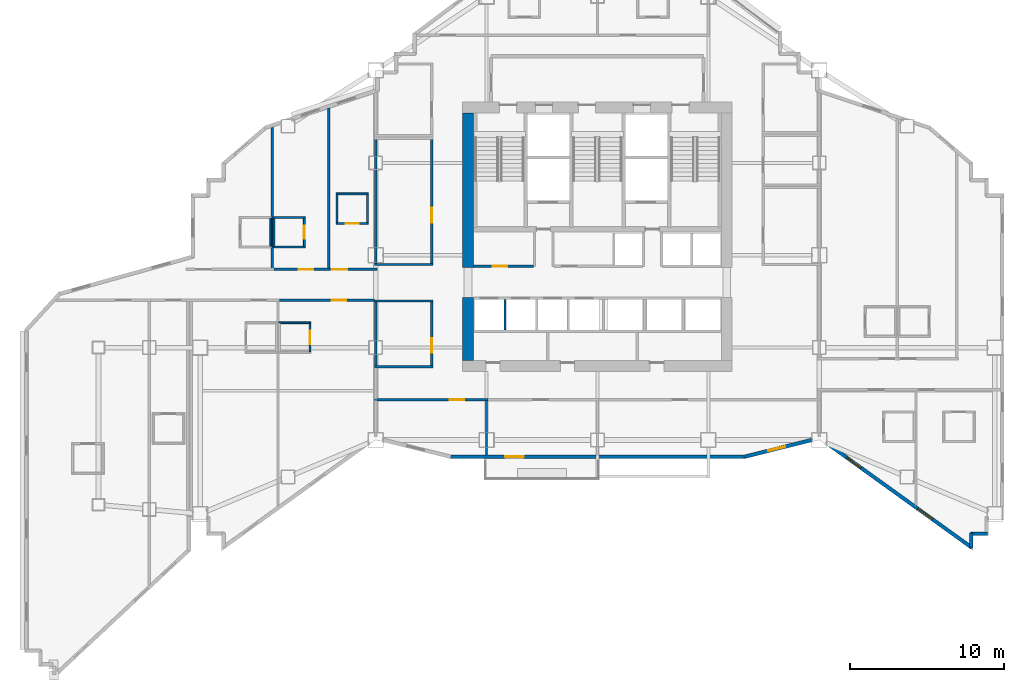
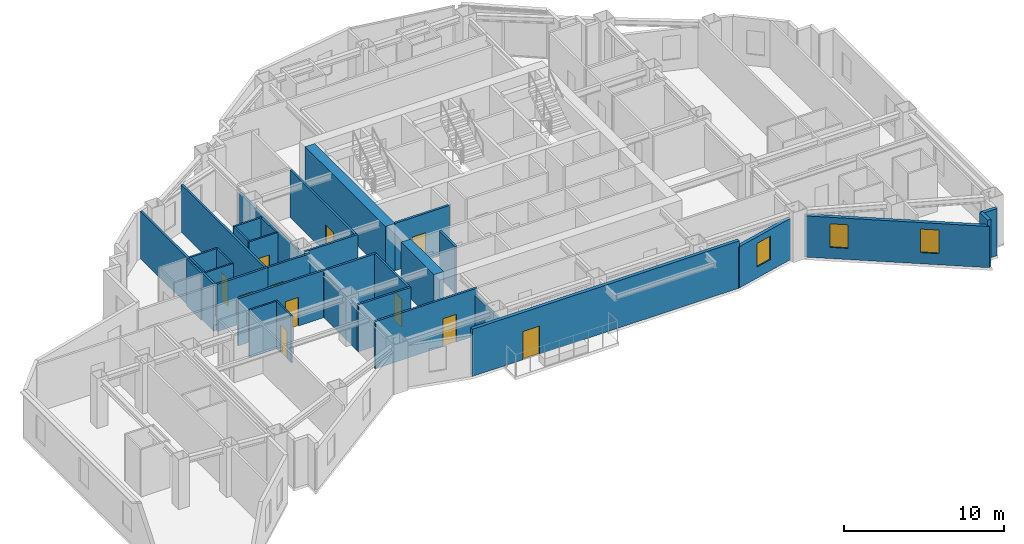
# One storey, part 8 of 14: 34 walls, 11 doors, 3 windows, 14 openings.
"""IFC4 building model written with IfcOpenShell, lengths in metres."""

from ifc_helpers import new_model, si_unit, direction, frame, frame_2d, origin, place, context, subcontext, project, spatial, rectangle, extrude, material, layer, layer_set, type_object, element, fill, save


model = new_model("IFC4")

# Units and contexts
model_context = context("Model", 3, precision=1e-05, world=origin(), true_north=direction((0.0, 1.0)))
body_context = subcontext(model_context, "Body", "Model", "MODEL_VIEW")
ifc_project = project(units=[si_unit("LENGTHUNIT", "METRE"), si_unit("AREAUNIT", "SQUARE_METRE"), si_unit("VOLUMEUNIT", "CUBIC_METRE"), si_unit("PLANEANGLEUNIT", "RADIAN"), si_unit("MASSUNIT", "GRAM", prefix="KILO")], contexts=[model_context])

# Site, building, storey
site_placement = place(None, origin())
site = spatial("IfcSite", under=ifc_project, at=site_placement, CompositionType="ELEMENT")
building_placement = place(site_placement, origin())
building = spatial("IfcBuilding", under=site, at=building_placement, Name="Haolan Belvedere Tower", CompositionType="ELEMENT")
storey_placement = place(building_placement, frame((0.0, 0.0, 148.60009765625)))
storey = spatial("IfcBuildingStorey", under=building, at=storey_placement, Name="L37", CompositionType="ELEMENT", Elevation=148.60009765625)

# Walls
ifc_material_1 = material(Name="Concrete C60/75", Category="concrete")
ifc_layer_1 = layer(ifc_material_1, 0.699951171875, Name="Concrete C60/75")
ifc_layer_set_1 = layer_set([ifc_layer_1], Name="Concrete C60/75")
wall_type_1 = type_object("IfcWallType", Name="WL-CORE-700", PredefinedType="SHEAR", material=ifc_layer_set_1)
wall_1_placement = place(storey_placement, frame((30.0, 26.75, 0.0), z_axis=(0.0, 0.0, 1.0), x_axis=(0.0, 1.0, 0.0)))
element("IfcWall", 1, at=wall_1_placement, inside=storey, type_object=wall_type_1, Name="L37 central core shear wall WS", PredefinedType="SHEAR", context=body_context, shape_type="SweptSolid", body=[
    extrude(rectangle(XDim=4.10009765625, YDim=0.699951171875, at=frame_2d((2.050048828125, 0.0))), origin(), (0.0, 0.0, 1.0), 3.599853515625),
])
wall_2_placement = place(storey_placement, frame((30.0, 32.800048828125, 0.0), z_axis=(0.0, 0.0, 1.0), x_axis=(0.0, 1.0, 0.0)))
element("IfcWall", 2, at=wall_2_placement, inside=storey, type_object=wall_type_1, Name="L37 central core shear wall WN", PredefinedType="SHEAR", context=body_context, shape_type="SweptSolid", body=[
    extrude(rectangle(XDim=10.050048828125, YDim=0.699951171875, at=frame_2d((5.02490234375, 0.0))), origin(), (0.0, 0.0, 1.0), 3.599853515625),
])

# Wall, opening, door
ifc_material_2 = material(Name="Precast concrete C40/50", Category="concrete")
ifc_layer_2 = layer(ifc_material_2, 0.239990234375, Name="Precast concrete C40/50")
ifc_layer_set_2 = layer_set([ifc_layer_2], Name="Precast concrete C40/50")
wall_type_2 = type_object("IfcWallType", Name="WL-EXT-240", PredefinedType="SOLIDWALL", material=ifc_layer_set_2)
wall_3_placement = place(storey_placement, frame((28.759765625, 20.52001953125, 0.0), z_axis=(0.0, 0.0, 1.0), x_axis=(1.0, 0.0, 0.0)))
wall_3 = element("IfcWall", 3, at=wall_3_placement, inside=storey, type_object=wall_type_2, Name="L37 pale-metal exterior spandrel wall 7.1", PredefinedType="SOLIDWALL", context=body_context, shape_type="SweptSolid", body=[
    extrude(rectangle(XDim=19.280517578125, YDim=0.239990234375, at=frame_2d((9.64013671875, 0.0))), origin(), (0.0, 0.0, 1.0), 3.599853515625),
])
opening_1_placement = place(wall_3_placement, frame((4.840087890625, 0.0, 0.0), z_axis=(0.0, 0.0, 1.0), x_axis=(-1.0, 0.0, 0.0)))
opening_1 = element("IfcOpeningElement", 4, at=opening_1_placement, cuts=wall_3, Name="Opening BD-01", PredefinedType="OPENING", context=body_context, shape_type="SweptSolid", body=[
    extrude(rectangle(XDim=1.199951171875, YDim=2.14990234375, at=frame_2d((0.60009765625, 1.074951171875))), frame((0.0, 0.1298828125, 0.0), z_axis=(0.0, -1.0, 0.0), x_axis=(1.0, 0.0, 0.0)), (0.0, 0.0, 1.0), 0.260009765625),
])
ifc_material_3 = material(Name="Thermally broken pale-metal aluminium and Low-E glass", Category="aluminium")
door_type_1 = type_object("IfcDoorType", Name="DR-BAL-1200", OperationType="NOTDEFINED", PredefinedType="DOOR", material=ifc_material_3)
door_1_placement = place(opening_1_placement, origin())
door_1 = element("IfcDoor", 5, at=door_1_placement, inside=storey, type_object=door_type_1, Name="L37 tree-balcony access door 1", OperationType="SINGLE_SWING_LEFT", OverallHeight=2.14990234375, OverallWidth=1.199951171875, PredefinedType="DOOR", context=body_context, shape_type="SweptSolid", body=[
    extrude(rectangle(XDim=1.199951171875, YDim=2.14990234375, at=frame_2d((0.60009765625, 1.074951171875))), frame((0.0, 0.02490234375, 0.0), z_axis=(0.0, -1.0, 0.0), x_axis=(1.0, 0.0, 0.0)), (0.0, 0.0, 1.0), 0.050048828125),
])
fill(opening_1, door_1)

# Wall, opening, window
wall_4_placement = place(storey_placement, frame((47.931884765625, 20.506591796875, 0.0), z_axis=(0.0, 0.0, 1.0), x_axis=(0.970145683738, 0.242522890311, 0.0)))
wall_4 = element("IfcWall", 6, at=wall_4_placement, inside=storey, type_object=wall_type_2, Name="L37 pale-metal exterior spandrel wall 8.1", PredefinedType="SOLIDWALL", context=body_context, shape_type="SweptSolid", body=[
    extrude(rectangle(XDim=4.510986328125, YDim=0.239990234375, at=frame_2d((2.25537109375, 0.0))), origin(), (0.0, 0.0, 1.0), 3.14501953125),
])
opening_2_placement = place(wall_4_placement, frame((1.60009765625, 0.0, 0.85009765625)))
opening_2 = element("IfcOpeningElement", 7, at=opening_2_placement, cuts=wall_4, Name="Opening W-02", PredefinedType="OPENING", context=body_context, shape_type="SweptSolid", body=[
    extrude(rectangle(XDim=1.14990234375, YDim=1.800048828125, at=frame_2d((0.574951171875, 0.89990234375))), frame((0.0, 0.1298828125, 0.0), z_axis=(0.0, -1.0, 0.0), x_axis=(1.0, 0.0, 0.0)), (0.0, 0.0, 1.0), 0.260009765625),
])
ifc_material_4 = material(Name="Anodised aluminium 6063-T6 and Low-E glass", Category="aluminium")
window_type = type_object("IfcWindowType", Name="WN-DECO-Z2", PartitioningType="SINGLE_PANEL", PredefinedType="WINDOW", material=ifc_material_4)
window_1_placement = place(opening_2_placement, origin())
window_1 = element("IfcWindow", 8, at=window_1_placement, inside=storey, type_object=window_type, Name="L37 Art Deco chevron window 1", OverallHeight=1.800048828125, OverallWidth=1.14990234375, PartitioningType="SINGLE_PANEL", PredefinedType="WINDOW", context=body_context, shape_type="SweptSolid", body=[
    extrude(rectangle(XDim=1.14990234375, YDim=1.800048828125, at=frame_2d((0.574951171875, 0.89990234375))), frame((0.0, 0.030029296875, 0.0), z_axis=(0.0, -1.0, 0.0), x_axis=(1.0, 0.0, 0.0)), (0.0, 0.0, 1.0), 0.06005859375),
])
fill(opening_2, window_1)

# Wall, openings, windows
wall_5_placement = place(storey_placement, frame((53.2919921875, 21.3935546875, 0.0), z_axis=(0.0, 0.0, 1.0), x_axis=(0.811543504691, -0.584291998913, 0.0)))
wall_5 = element("IfcWall", 9, at=wall_5_placement, inside=storey, type_object=wall_type_2, Name="L37 pale-metal exterior spandrel wall 9.1", PredefinedType="SOLIDWALL", context=body_context, shape_type="SweptSolid", body=[
    extrude(rectangle(XDim=11.623046875, YDim=0.239990234375, at=frame_2d((5.8115234375, 0.0))), origin(), (0.0, 0.0, 1.0), 3.14501953125),
])
opening_3_placement = place(wall_5_placement, frame((1.60009765625, 0.0, 0.85009765625)))
opening_3 = element("IfcOpeningElement", 10, at=opening_3_placement, cuts=wall_5, Name="Opening W-02", PredefinedType="OPENING", context=body_context, shape_type="SweptSolid", body=[
    extrude(rectangle(XDim=1.14990234375, YDim=1.800048828125, at=frame_2d((0.574951171875, 0.89990234375))), frame((0.0, 0.1298828125, 0.0), z_axis=(0.0, -1.0, 0.0), x_axis=(1.0, 0.0, 0.0)), (0.0, 0.0, 1.0), 0.260009765625),
])
opening_4_placement = place(wall_5_placement, frame((7.29150390625, 0.0, 0.85009765625)))
opening_4 = element("IfcOpeningElement", 11, at=opening_4_placement, cuts=wall_5, Name="Opening W-02", PredefinedType="OPENING", context=body_context, shape_type="SweptSolid", body=[
    extrude(rectangle(XDim=1.14990234375, YDim=1.800048828125, at=frame_2d((0.574951171875, 0.89990234375))), frame((0.0, 0.1298828125, 0.0), z_axis=(0.0, -1.0, 0.0), x_axis=(1.0, 0.0, 0.0)), (0.0, 0.0, 1.0), 0.260009765625),
])
window_2_placement = place(opening_3_placement, origin())
window_2 = element("IfcWindow", 12, at=window_2_placement, inside=storey, type_object=window_type, Name="L37 Art Deco chevron window 1", OverallHeight=1.800048828125, OverallWidth=1.14990234375, PartitioningType="SINGLE_PANEL", PredefinedType="WINDOW", context=body_context, shape_type="SweptSolid", body=[
    extrude(rectangle(XDim=1.14990234375, YDim=1.800048828125, at=frame_2d((0.574951171875, 0.89990234375))), frame((0.0, 0.030029296875, 0.0), z_axis=(0.0, -1.0, 0.0), x_axis=(1.0, 0.0, 0.0)), (0.0, 0.0, 1.0), 0.06005859375),
])
fill(opening_3, window_2)
window_3_placement = place(opening_4_placement, origin())
window_3 = element("IfcWindow", 13, at=window_3_placement, inside=storey, type_object=window_type, Name="L37 Art Deco chevron window 2", OverallHeight=1.800048828125, OverallWidth=1.14990234375, PartitioningType="SINGLE_PANEL", PredefinedType="WINDOW", context=body_context, shape_type="SweptSolid", body=[
    extrude(rectangle(XDim=1.14990234375, YDim=1.800048828125, at=frame_2d((0.574951171875, 0.89990234375))), frame((0.0, 0.030029296875, 0.0), z_axis=(0.0, -1.0, 0.0), x_axis=(1.0, 0.0, 0.0)), (0.0, 0.0, 1.0), 0.06005859375),
])
fill(opening_4, window_3)

# Walls
wall_6_placement = place(storey_placement, frame((62.679931640625, 14.579345703125, 0.0), z_axis=(0.0, 0.0, 1.0), x_axis=(0.0, 1.0, 0.0)))
element("IfcWall", 14, at=wall_6_placement, inside=storey, type_object=wall_type_2, Name="L37 pale-metal exterior spandrel wall 10.1", PredefinedType="SOLIDWALL", context=body_context, shape_type="SweptSolid", body=[
    extrude(rectangle(XDim=0.99560546875, YDim=0.239990234375, at=frame_2d((0.497802734375, 0.0))), origin(), (0.0, 0.0, 1.0), 3.599853515625),
])
wall_7_placement = place(storey_placement, frame((62.625, 15.52001953125, 0.0), z_axis=(0.0, 0.0, 1.0), x_axis=(1.0, 0.0, 0.0)))
element("IfcWall", 15, at=wall_7_placement, inside=storey, type_object=wall_type_2, Name="L37 pale-metal exterior spandrel wall 11.1", PredefinedType="SOLIDWALL", context=body_context, shape_type="SweptSolid", body=[
    extrude(rectangle(XDim=1.110107421875, YDim=0.239990234375, at=frame_2d((0.55517578125, 0.0))), origin(), (0.0, 0.0, 1.0), 3.599853515625),
])
ifc_material_5 = material(Name="Double gypsum acoustic stud partition", Category="masonry")
ifc_layer_3 = layer(ifc_material_5, 0.14990234375, Name="Double gypsum acoustic stud partition")
ifc_layer_set_3 = layer_set([ifc_layer_3], Name="Double gypsum acoustic stud partition")
wall_type_3 = type_object("IfcWallType", Name="WL-PART-150", PredefinedType="PARTITIONING", material=ifc_layer_set_3)
wall_8_placement = place(storey_placement, frame((23.919921875, 33.0, 0.0), z_axis=(0.0, 0.0, 1.0), x_axis=(1.0, 0.0, 0.0)))
element("IfcWall", 16, at=wall_8_placement, inside=storey, type_object=wall_type_3, Name="L37 interior partition IW-L37-SAL-S", PredefinedType="PARTITIONING", context=body_context, shape_type="SweptSolid", body=[
    extrude(rectangle(XDim=3.800048828125, YDim=0.14990234375, at=frame_2d((1.89990234375, 0.0))), origin(), (0.0, 0.0, 1.0), 3.599853515625),
])
wall_9_placement = place(storey_placement, frame((24.0, 33.06005859375, 0.0), z_axis=(0.0, 0.0, 1.0), x_axis=(0.0, 1.0, 0.0)))
element("IfcWall", 17, at=wall_9_placement, inside=storey, type_object=wall_type_3, Name="L37 interior partition IW-L37-SAL-W", PredefinedType="PARTITIONING", context=body_context, shape_type="SweptSolid", body=[
    extrude(rectangle(XDim=8.079833984375, YDim=0.14990234375, at=frame_2d((4.0400390625, 0.0))), origin(), (0.0, 0.0, 1.0), 3.14501953125),
])

# Wall, opening, door
wall_10_placement = place(storey_placement, frame((27.639892578125, 33.06005859375, 0.0), z_axis=(0.0, 0.0, 1.0), x_axis=(0.0, 1.0, 0.0)))
wall_10 = element("IfcWall", 18, at=wall_10_placement, inside=storey, type_object=wall_type_3, Name="L37 interior partition IW-L37-SAL-E", PredefinedType="PARTITIONING", context=body_context, shape_type="SweptSolid", body=[
    extrude(rectangle(XDim=8.079833984375, YDim=0.14990234375, at=frame_2d((4.0400390625, 0.0))), origin(), (0.0, 0.0, 1.0), 3.599853515625),
])
opening_5_placement = place(wall_10_placement, frame((3.60986328125, 0.0, 0.0), z_axis=(0.0, 0.0, 1.0), x_axis=(-1.0, 0.0, 0.0)))
opening_5 = element("IfcOpeningElement", 19, at=opening_5_placement, cuts=wall_10, Name="Opening ID-03", PredefinedType="OPENING", context=body_context, shape_type="SweptSolid", body=[
    extrude(rectangle(XDim=0.949951171875, YDim=2.1201171875, at=frame_2d((0.47509765625, 1.06005859375))), frame((0.0, 0.0849609375, 0.0), z_axis=(0.0, -1.0, 0.0), x_axis=(1.0, 0.0, 0.0)), (0.0, 0.0, 1.0), 0.169921875),
])
ifc_material_6 = material(Name="Painted solid-core timber", Category="wood")
door_type_2 = type_object("IfcDoorType", Name="DR-INT-950", OperationType="NOTDEFINED", PredefinedType="DOOR", material=ifc_material_6)
door_2_placement = place(opening_5_placement, origin())
door_2 = element("IfcDoor", 20, at=door_2_placement, inside=storey, type_object=door_type_2, Name="L37 door ID-L37-SAL", OperationType="SINGLE_SWING_LEFT", OverallHeight=2.1201171875, OverallWidth=0.949951171875, PredefinedType="DOOR", context=body_context, shape_type="SweptSolid", body=[
    extrude(rectangle(XDim=0.949951171875, YDim=2.1201171875, at=frame_2d((0.47509765625, 1.06005859375))), frame((0.0, 0.02490234375, 0.0), z_axis=(0.0, -1.0, 0.0), x_axis=(1.0, 0.0, 0.0)), (0.0, 0.0, 1.0), 0.050048828125),
])
fill(opening_5, door_2)

# Walls
for number, where, z_axis, x_axis, name in (
    (21, (23.919921875, 30.6298828125, 0.0), (0.0, 0.0, 1.0), (1.0, 0.0, 0.0), "L37 interior partition IW-L37-PKTW-N"),
    (22, (23.919921875, 26.35009765625, 0.0), (0.0, 0.0, 1.0), (1.0, 0.0, 0.0), "L37 interior partition IW-L37-PKTW-S"),
):
    element("IfcWall", number, at=place(storey_placement, frame(where, z_axis=z_axis, x_axis=x_axis)), inside=storey, type_object=wall_type_3, Name=name, PredefinedType="PARTITIONING", context=body_context, shape_type="SweptSolid", body=[
        extrude(rectangle(XDim=3.800048828125, YDim=0.14990234375, at=frame_2d((1.89990234375, 0.0))), origin(), (0.0, 0.0, 1.0), 3.599853515625),
    ])
wall_11_placement = place(storey_placement, frame((24.0, 26.409912109375, 0.0), z_axis=(0.0, 0.0, 1.0), x_axis=(0.0, 1.0, 0.0)))
element("IfcWall", 23, at=wall_11_placement, inside=storey, type_object=wall_type_3, Name="L37 interior partition IW-L37-PKTW-W", PredefinedType="PARTITIONING", context=body_context, shape_type="SweptSolid", body=[
    extrude(rectangle(XDim=4.16015625, YDim=0.14990234375, at=frame_2d((2.080078125, 0.0))), origin(), (0.0, 0.0, 1.0), 3.14501953125),
])

# Wall, opening, door
wall_12_placement = place(storey_placement, frame((27.639892578125, 26.409912109375, 0.0), z_axis=(0.0, 0.0, 1.0), x_axis=(0.0, 1.0, 0.0)))
wall_12 = element("IfcWall", 24, at=wall_12_placement, inside=storey, type_object=wall_type_3, Name="L37 interior partition IW-L37-PKTW-E", PredefinedType="PARTITIONING", context=body_context, shape_type="SweptSolid", body=[
    extrude(rectangle(XDim=4.16015625, YDim=0.14990234375, at=frame_2d((2.080078125, 0.0))), origin(), (0.0, 0.0, 1.0), 3.599853515625),
])
opening_6_placement = place(wall_12_placement, frame((1.81005859375, 0.0, 0.0), z_axis=(0.0, 0.0, 1.0), x_axis=(-1.0, 0.0, 0.0)))
opening_6 = element("IfcOpeningElement", 25, at=opening_6_placement, cuts=wall_12, Name="Opening ID-03", PredefinedType="OPENING", context=body_context, shape_type="SweptSolid", body=[
    extrude(rectangle(XDim=0.949951171875, YDim=2.1201171875, at=frame_2d((0.47509765625, 1.06005859375))), frame((0.0, 0.0849609375, 0.0), z_axis=(0.0, -1.0, 0.0), x_axis=(1.0, 0.0, 0.0)), (0.0, 0.0, 1.0), 0.169921875),
])
door_3_placement = place(opening_6_placement, origin())
door_3 = element("IfcDoor", 26, at=door_3_placement, inside=storey, type_object=door_type_2, Name="L37 door ID-L37-PKTW", OperationType="SINGLE_SWING_LEFT", OverallHeight=2.1201171875, OverallWidth=0.949951171875, PredefinedType="DOOR", context=body_context, shape_type="SweptSolid", body=[
    extrude(rectangle(XDim=0.949951171875, YDim=2.1201171875, at=frame_2d((0.47509765625, 1.06005859375))), frame((0.0, 0.02490234375, 0.0), z_axis=(0.0, -1.0, 0.0), x_axis=(1.0, 0.0, 0.0)), (0.0, 0.0, 1.0), 0.050048828125),
])
fill(opening_6, door_3)

wall_13_placement = place(storey_placement, frame((23.919921875, 24.219970703125, 0.0), z_axis=(0.0, 0.0, 1.0), x_axis=(1.0, 0.0, 0.0)))
wall_13 = element("IfcWall", 27, at=wall_13_placement, inside=storey, type_object=wall_type_3, Name="L37 interior partition IW-L37-KS1-N", PredefinedType="PARTITIONING", context=body_context, shape_type="SweptSolid", body=[
    extrude(rectangle(XDim=7.360107421875, YDim=0.14990234375, at=frame_2d((3.68017578125, 0.0))), origin(), (0.0, 0.0, 1.0), 3.599853515625),
])
opening_7_placement = place(wall_13_placement, frame((5.844970703125, 0.0, 0.0), z_axis=(0.0, 0.0, 1.0), x_axis=(-1.0, 0.0, 0.0)))
opening_7 = element("IfcOpeningElement", 28, at=opening_7_placement, cuts=wall_13, Name="Opening ID-03", PredefinedType="OPENING", context=body_context, shape_type="SweptSolid", body=[
    extrude(rectangle(XDim=0.949951171875, YDim=2.1201171875, at=frame_2d((0.47509765625, 1.06005859375))), frame((0.0, 0.0849609375, 0.0), z_axis=(0.0, -1.0, 0.0), x_axis=(1.0, 0.0, 0.0)), (0.0, 0.0, 1.0), 0.169921875),
])
door_4_placement = place(opening_7_placement, origin())
door_4 = element("IfcDoor", 29, at=door_4_placement, inside=storey, type_object=door_type_2, Name="L37 door ID-L37-KS1", OperationType="SINGLE_SWING_LEFT", OverallHeight=2.1201171875, OverallWidth=0.949951171875, PredefinedType="DOOR", context=body_context, shape_type="SweptSolid", body=[
    extrude(rectangle(XDim=0.949951171875, YDim=2.1201171875, at=frame_2d((0.47509765625, 1.06005859375))), frame((0.0, 0.02490234375, 0.0), z_axis=(0.0, -1.0, 0.0), x_axis=(1.0, 0.0, 0.0)), (0.0, 0.0, 1.0), 0.050048828125),
])
fill(opening_7, door_4)

# Walls
wall_14_placement = place(storey_placement, frame((31.199951171875, 20.625, 0.0), z_axis=(0.0, 0.0, 1.0), x_axis=(0.0, 1.0, 0.0)))
element("IfcWall", 30, at=wall_14_placement, inside=storey, type_object=wall_type_3, Name="L37 interior partition IW-L37-KS1-E", PredefinedType="PARTITIONING", context=body_context, shape_type="SweptSolid", body=[
    extrude(rectangle(XDim=3.534912109375, YDim=0.14990234375, at=frame_2d((1.767578125, 0.0))), origin(), (0.0, 0.0, 1.0), 3.0849609375),
])
wall_15_placement = place(storey_placement, frame((17.2900390625, 32.739990234375, 0.0), z_axis=(0.0, 0.0, 1.0), x_axis=(0.0, 1.0, 0.0)))
element("IfcWall", 31, at=wall_15_placement, inside=storey, type_object=wall_type_3, Name="L37 interior partition IW-L37-T2N1-E", PredefinedType="PARTITIONING", context=body_context, shape_type="SweptSolid", body=[
    extrude(rectangle(XDim=9.186279296875, YDim=0.14990234375, at=frame_2d((4.59326171875, 0.0))), origin(), (0.0, 0.0, 1.0), 3.599853515625),
])

# Wall, opening, door
wall_16_placement = place(storey_placement, frame((17.39208984375, 32.679931640625, 0.0), z_axis=(0.0, 0.0, 1.0), x_axis=(1.0, 0.0, 0.0)))
wall_16 = element("IfcWall", 32, at=wall_16_placement, inside=storey, type_object=wall_type_3, Name="L37 interior partition IW-L37-T2N2-S", PredefinedType="PARTITIONING", context=body_context, shape_type="SweptSolid", body=[
    extrude(rectangle(XDim=3.657958984375, YDim=0.14990234375, at=frame_2d((1.8291015625, 0.0))), origin(), (0.0, 0.0, 1.0), 3.599853515625),
])
opening_8_placement = place(wall_16_placement, frame((1.6005859375, 0.0, 0.0)))
opening_8 = element("IfcOpeningElement", 33, at=opening_8_placement, cuts=wall_16, Name="Opening ID-02", PredefinedType="OPENING", context=body_context, shape_type="SweptSolid", body=[
    extrude(rectangle(XDim=0.949951171875, YDim=2.14990234375, at=frame_2d((0.47509765625, 1.074951171875))), frame((0.0, 0.0849609375, 0.0), z_axis=(0.0, -1.0, 0.0), x_axis=(1.0, 0.0, 0.0)), (0.0, 0.0, 1.0), 0.169921875),
])
ifc_material_7 = material(Name="Acoustic oak veneer fire-rated timber", Category="wood")
door_type_3 = type_object("IfcDoorType", Name="DR-GUEST-950", OperationType="NOTDEFINED", PredefinedType="DOOR", material=ifc_material_7)
door_5_placement = place(opening_8_placement, origin())
door_5 = element("IfcDoor", 34, at=door_5_placement, inside=storey, type_object=door_type_3, Name="L37 door ID-L37-T2N2-ENT", OperationType="SINGLE_SWING_RIGHT", OverallHeight=2.14990234375, OverallWidth=0.949951171875, PredefinedType="DOOR", context=body_context, shape_type="SweptSolid", body=[
    extrude(rectangle(XDim=0.949951171875, YDim=2.14990234375, at=frame_2d((0.47509765625, 1.074951171875))), frame((0.0, 0.02490234375, 0.0), z_axis=(0.0, -1.0, 0.0), x_axis=(1.0, 0.0, 0.0)), (0.0, 0.0, 1.0), 0.050048828125),
])
fill(opening_8, door_5)

# Wall
wall_17_placement = place(storey_placement, frame((20.949951171875, 32.739990234375, 0.0), z_axis=(0.0, 0.0, 1.0), x_axis=(0.0, 1.0, 0.0)))
element("IfcWall", 35, at=wall_17_placement, inside=storey, type_object=wall_type_3, Name="L37 interior partition IW-L37-T2N2-E", PredefinedType="PARTITIONING", context=body_context, shape_type="SweptSolid", body=[
    extrude(rectangle(XDim=10.40625, YDim=0.14990234375, at=frame_2d((5.203125, 0.0))), origin(), (0.0, 0.0, 1.0), 3.599853515625),
])

# Wall, opening, door
wall_18_placement = place(storey_placement, frame((21.052001953125, 32.679931640625, 0.0), z_axis=(0.0, 0.0, 1.0), x_axis=(1.0, 0.0, 0.0)))
wall_18 = element("IfcWall", 36, at=wall_18_placement, inside=storey, type_object=wall_type_3, Name="L37 interior partition IW-L37-T2N3-S", PredefinedType="PARTITIONING", context=body_context, shape_type="SweptSolid", body=[
    extrude(rectangle(XDim=3.048095703125, YDim=0.14990234375, at=frame_2d((1.52392578125, 0.0))), origin(), (0.0, 0.0, 1.0), 3.599853515625),
])
opening_9_placement = place(wall_18_placement, frame((0.139892578125, 0.0, 0.0)))
opening_9 = element("IfcOpeningElement", 37, at=opening_9_placement, cuts=wall_18, Name="Opening ID-02", PredefinedType="OPENING", context=body_context, shape_type="SweptSolid", body=[
    extrude(rectangle(XDim=0.949951171875, YDim=2.14990234375, at=frame_2d((0.47509765625, 1.074951171875))), frame((0.0, 0.0849609375, 0.0), z_axis=(0.0, -1.0, 0.0), x_axis=(1.0, 0.0, 0.0)), (0.0, 0.0, 1.0), 0.169921875),
])
door_6_placement = place(opening_9_placement, origin())
door_6 = element("IfcDoor", 38, at=door_6_placement, inside=storey, type_object=door_type_3, Name="L37 door ID-L37-T2N3-ENT", OperationType="SINGLE_SWING_LEFT", OverallHeight=2.14990234375, OverallWidth=0.949951171875, PredefinedType="DOOR", context=body_context, shape_type="SweptSolid", body=[
    extrude(rectangle(XDim=0.949951171875, YDim=2.14990234375, at=frame_2d((0.47509765625, 1.074951171875))), frame((0.0, 0.02490234375, 0.0), z_axis=(0.0, -1.0, 0.0), x_axis=(1.0, 0.0, 0.0)), (0.0, 0.0, 1.0), 0.050048828125),
])
fill(opening_9, door_6)

wall_19_placement = place(storey_placement, frame((17.761962890625, 30.669921875, 0.0), z_axis=(0.0, 0.0, 1.0), x_axis=(1.0, 0.0, 0.0)))
wall_19 = element("IfcWall", 39, at=wall_19_placement, inside=storey, type_object=wall_type_3, Name="L37 interior partition IW-L37-T2S2-N", PredefinedType="PARTITIONING", context=body_context, shape_type="SweptSolid", body=[
    extrude(rectangle(XDim=6.156005859375, YDim=0.14990234375, at=frame_2d((3.078125, 0.0))), origin(), (0.0, 0.0, 1.0), 3.599853515625),
])
opening_10_placement = place(wall_19_placement, frame((4.3388671875, 0.0, 0.0), z_axis=(0.0, 0.0, 1.0), x_axis=(-1.0, 0.0, 0.0)))
opening_10 = element("IfcOpeningElement", 40, at=opening_10_placement, cuts=wall_19, Name="Opening ID-01", PredefinedType="OPENING", context=body_context, shape_type="SweptSolid", body=[
    extrude(rectangle(XDim=0.949951171875, YDim=2.179931640625, at=frame_2d((0.47509765625, 1.08984375))), frame((0.0, 0.0849609375, 0.0), z_axis=(0.0, -1.0, 0.0), x_axis=(1.0, 0.0, 0.0)), (0.0, 0.0, 1.0), 0.169921875),
])
ifc_material_8 = material(Name="Acoustic walnut veneer fire-rated timber", Category="wood")
door_type_4 = type_object("IfcDoorType", Name="DR-SUITE-950", OperationType="NOTDEFINED", PredefinedType="DOOR", material=ifc_material_8)
door_7_placement = place(opening_10_placement, origin())
door_7 = element("IfcDoor", 41, at=door_7_placement, inside=storey, type_object=door_type_4, Name="L37 door ID-L37-T2S2-ENT", OperationType="SINGLE_SWING_LEFT", OverallHeight=2.179931640625, OverallWidth=0.949951171875, PredefinedType="DOOR", context=body_context, shape_type="SweptSolid", body=[
    extrude(rectangle(XDim=0.949951171875, YDim=2.179931640625, at=frame_2d((0.47509765625, 1.08984375))), frame((0.0, 0.02490234375, 0.0), z_axis=(0.0, -1.0, 0.0), x_axis=(1.0, 0.0, 0.0)), (0.0, 0.0, 1.0), 0.050048828125),
])
fill(opening_10, door_7)

ifc_material_9 = material(Name="Gypsum fire shaftwall assembly", Category="masonry")
ifc_layer_4 = layer(ifc_material_9, 0.1650390625, Name="Gypsum fire shaftwall assembly")
ifc_layer_set_4 = layer_set([ifc_layer_4], Name="Gypsum fire shaftwall assembly")
wall_type_4 = type_object("IfcWallType", Name="WL-SHAFT-160", PredefinedType="SOLIDWALL", material=ifc_layer_set_4)
wall_20_placement = place(storey_placement, frame((30.35009765625, 32.8798828125, 0.0), z_axis=(0.0, 0.0, 1.0), x_axis=(1.0, 0.0, 0.0)))
wall_20 = element("IfcWall", 42, at=wall_20_placement, inside=storey, type_object=wall_type_4, Name="L37 interior partition IW-L37-ROW-PN1", PredefinedType="SOLIDWALL", context=body_context, shape_type="SweptSolid", body=[
    extrude(rectangle(XDim=3.89990234375, YDim=0.159912109375, at=frame_2d((1.949951171875, 0.0))), origin(), (0.0, 0.0, 1.0), 3.599853515625),
])
opening_11_placement = place(wall_20_placement, frame((2.199951171875, 0.0, 0.0), z_axis=(0.0, 0.0, 1.0), x_axis=(-1.0, 0.0, 0.0)))
opening_11 = element("IfcOpeningElement", 43, at=opening_11_placement, cuts=wall_20, Name="Opening ID-03", PredefinedType="OPENING", context=body_context, shape_type="SweptSolid", body=[
    extrude(rectangle(XDim=0.949951171875, YDim=2.1201171875, at=frame_2d((0.47509765625, 1.06005859375))), frame((0.0, 0.08984375, 0.0), z_axis=(0.0, -1.0, 0.0), x_axis=(1.0, 0.0, 0.0)), (0.0, 0.0, 1.0), 0.179931640625),
])
door_8_placement = place(opening_11_placement, origin())
door_8 = element("IfcDoor", 44, at=door_8_placement, inside=storey, type_object=door_type_2, Name="L37 door ID-L37-CD-RPLW", OperationType="SINGLE_SWING_LEFT", OverallHeight=2.1201171875, OverallWidth=0.949951171875, PredefinedType="DOOR", context=body_context, shape_type="SweptSolid", body=[
    extrude(rectangle(XDim=0.949951171875, YDim=2.1201171875, at=frame_2d((0.47509765625, 1.06005859375))), frame((0.0, 0.02490234375, 0.0), z_axis=(0.0, -1.0, 0.0), x_axis=(1.0, 0.0, 0.0)), (0.0, 0.0, 1.0), 0.050048828125),
])
fill(opening_11, door_8)

# Walls
wall_21_placement = place(storey_placement, frame((32.39990234375, 28.735107421875, 0.0), z_axis=(0.0, 0.0, 1.0), x_axis=(0.0, 1.0, 0.0)))
element("IfcWall", 45, at=wall_21_placement, inside=storey, type_object=wall_type_4, Name="L37 interior partition IW-L37-DIV-PM1", PredefinedType="SOLIDWALL", context=body_context, shape_type="SweptSolid", body=[
    extrude(rectangle(XDim=1.98486328125, YDim=0.14990234375, at=frame_2d((0.992431640625, 0.0))), origin(), (0.0, 0.0, 1.0), 3.599853515625),
])
ifc_material_10 = material(Name="Moisture-resistant gypsum tile partition", Category="masonry")
ifc_layer_5 = layer(ifc_material_10, 0.1201171875, Name="Moisture-resistant gypsum tile partition")
ifc_layer_set_5 = layer_set([ifc_layer_5], Name="Moisture-resistant gypsum tile partition")
wall_type_5 = type_object("IfcWallType", Name="WL-WET-120", PredefinedType="PARTITIONING", material=ifc_layer_set_5)
wall_22_placement = place(storey_placement, frame((17.18994140625, 34.175048828125, 0.0), z_axis=(0.0, 0.0, 1.0), x_axis=(0.0, 1.0, 0.0)))
element("IfcWall", 46, at=wall_22_placement, inside=storey, type_object=wall_type_5, Name="L37 interior partition IW-L37-T2N1-BE", PredefinedType="PARTITIONING", context=body_context, shape_type="SweptSolid", body=[
    extrude(rectangle(XDim=1.829833984375, YDim=0.1201171875, at=frame_2d((0.9150390625, 0.0))), origin(), (0.0, 0.0, 1.0), 3.599853515625),
])
for number, where, z_axis, x_axis, name in (
    (47, (17.35009765625, 36.050048828125, 0.0), (0.0, 0.0, 1.0), (1.0, 0.0, 0.0), "L37 interior partition IW-L37-T2N2-BN"),
    (48, (17.35009765625, 34.1298828125, 0.0), (0.0, 0.0, 1.0), (1.0, 0.0, 0.0), "L37 interior partition IW-L37-T2N2-BS"),
):
    element("IfcWall", number, at=place(storey_placement, frame(where, z_axis=z_axis, x_axis=x_axis)), inside=storey, type_object=wall_type_5, Name=name, PredefinedType="PARTITIONING", context=body_context, shape_type="SweptSolid", body=[
        extrude(rectangle(XDim=2.079833984375, YDim=0.1201171875, at=frame_2d((1.0400390625, 0.0))), origin(), (0.0, 0.0, 1.0), 3.599853515625),
    ])
wall_23_placement = place(storey_placement, frame((17.389892578125, 34.175048828125, 0.0), z_axis=(0.0, 0.0, 1.0), x_axis=(0.0, 1.0, 0.0)))
element("IfcWall", 49, at=wall_23_placement, inside=storey, type_object=wall_type_5, Name="L37 interior partition IW-L37-T2N2-BW", PredefinedType="PARTITIONING", context=body_context, shape_type="SweptSolid", body=[
    extrude(rectangle(XDim=1.829833984375, YDim=0.1201171875, at=frame_2d((0.9150390625, 0.0))), origin(), (0.0, 0.0, 1.0), 3.599853515625),
])

# Wall, opening, door
wall_24_placement = place(storey_placement, frame((19.3701171875, 34.175048828125, 0.0), z_axis=(0.0, 0.0, 1.0), x_axis=(0.0, 1.0, 0.0)))
wall_24 = element("IfcWall", 50, at=wall_24_placement, inside=storey, type_object=wall_type_5, Name="L37 interior partition IW-L37-T2N2-BE", PredefinedType="PARTITIONING", context=body_context, shape_type="SweptSolid", body=[
    extrude(rectangle(XDim=1.829833984375, YDim=0.1201171875, at=frame_2d((0.9150390625, 0.0))), origin(), (0.0, 0.0, 1.0), 3.599853515625),
])
opening_12_placement = place(wall_24_placement, frame((0.489990234375, 0.0, 0.0)))
opening_12 = element("IfcOpeningElement", 51, at=opening_12_placement, cuts=wall_24, Name="Opening ID-05", PredefinedType="OPENING", context=body_context, shape_type="SweptSolid", body=[
    extrude(rectangle(XDim=0.85009765625, YDim=2.10009765625, at=frame_2d((0.425048828125, 1.050048828125))), frame((0.0, 0.070068359375, 0.0), z_axis=(0.0, -1.0, 0.0), x_axis=(1.0, 0.0, 0.0)), (0.0, 0.0, 1.0), 0.14013671875),
])
ifc_material_11 = material(Name="Moisture-resistant lacquered timber", Category="wood")
door_type_5 = type_object("IfcDoorType", Name="DR-BATH-850", OperationType="NOTDEFINED", PredefinedType="DOOR", material=ifc_material_11)
door_9_placement = place(opening_12_placement, origin())
door_9 = element("IfcDoor", 52, at=door_9_placement, inside=storey, type_object=door_type_5, Name="L37 door ID-L37-T2N2-BATH", OperationType="SINGLE_SWING_LEFT", OverallHeight=2.10009765625, OverallWidth=0.85009765625, PredefinedType="DOOR", context=body_context, shape_type="SweptSolid", body=[
    extrude(rectangle(XDim=0.85009765625, YDim=2.10009765625, at=frame_2d((0.425048828125, 1.050048828125))), frame((0.0, 0.02490234375, 0.0), z_axis=(0.0, -1.0, 0.0), x_axis=(1.0, 0.0, 0.0)), (0.0, 0.0, 1.0), 0.050048828125),
])
fill(opening_12, door_9)

# Wall
wall_25_placement = place(storey_placement, frame((21.425048828125, 37.5849609375, 0.0), z_axis=(0.0, 0.0, 1.0), x_axis=(1.0, 0.0, 0.0)))
element("IfcWall", 53, at=wall_25_placement, inside=storey, type_object=wall_type_5, Name="L37 interior partition IW-L37-T2N3-BN", PredefinedType="PARTITIONING", context=body_context, shape_type="SweptSolid", body=[
    extrude(rectangle(XDim=2.099853515625, YDim=0.1201171875, at=frame_2d((1.0498046875, 0.0))), origin(), (0.0, 0.0, 1.0), 3.599853515625),
])

# Wall, opening, door
wall_26_placement = place(storey_placement, frame((21.425048828125, 35.6650390625, 0.0), z_axis=(0.0, 0.0, 1.0), x_axis=(1.0, 0.0, 0.0)))
wall_26 = element("IfcWall", 54, at=wall_26_placement, inside=storey, type_object=wall_type_5, Name="L37 interior partition IW-L37-T2N3-BS", PredefinedType="PARTITIONING", context=body_context, shape_type="SweptSolid", body=[
    extrude(rectangle(XDim=2.099853515625, YDim=0.1201171875, at=frame_2d((1.0498046875, 0.0))), origin(), (0.0, 0.0, 1.0), 3.599853515625),
])
opening_13_placement = place(wall_26_placement, frame((0.625, 0.0, 0.0)))
opening_13 = element("IfcOpeningElement", 55, at=opening_13_placement, cuts=wall_26, Name="Opening ID-05", PredefinedType="OPENING", context=body_context, shape_type="SweptSolid", body=[
    extrude(rectangle(XDim=0.85009765625, YDim=2.10009765625, at=frame_2d((0.425048828125, 1.050048828125))), frame((0.0, 0.070068359375, 0.0), z_axis=(0.0, -1.0, 0.0), x_axis=(1.0, 0.0, 0.0)), (0.0, 0.0, 1.0), 0.14013671875),
])
door_10_placement = place(opening_13_placement, origin())
door_10 = element("IfcDoor", 56, at=door_10_placement, inside=storey, type_object=door_type_5, Name="L37 door ID-L37-T2N3-BATH", OperationType="SINGLE_SWING_RIGHT", OverallHeight=2.10009765625, OverallWidth=0.85009765625, PredefinedType="DOOR", context=body_context, shape_type="SweptSolid", body=[
    extrude(rectangle(XDim=0.85009765625, YDim=2.10009765625, at=frame_2d((0.425048828125, 1.050048828125))), frame((0.0, 0.02490234375, 0.0), z_axis=(0.0, -1.0, 0.0), x_axis=(1.0, 0.0, 0.0)), (0.0, 0.0, 1.0), 0.050048828125),
])
fill(opening_13, door_10)

# Walls
for number, where, z_axis, x_axis, name in (
    (57, (21.485107421875, 35.7099609375, 0.0), (0.0, 0.0, 1.0), (0.0, 1.0, 0.0), "L37 interior partition IW-L37-T2N3-BW"),
    (58, (23.465087890625, 35.7099609375, 0.0), (0.0, 0.0, 1.0), (0.0, 1.0, 0.0), "L37 interior partition IW-L37-T2N3-BE"),
):
    element("IfcWall", number, at=place(storey_placement, frame(where, z_axis=z_axis, x_axis=x_axis)), inside=storey, type_object=wall_type_5, Name=name, PredefinedType="PARTITIONING", context=body_context, shape_type="SweptSolid", body=[
        extrude(rectangle(XDim=1.830078125, YDim=0.1201171875, at=frame_2d((0.9150390625, 0.0))), origin(), (0.0, 0.0, 1.0), 3.599853515625),
    ])
wall_27_placement = place(storey_placement, frame((17.719970703125, 29.219970703125, 0.0), z_axis=(0.0, 0.0, 1.0), x_axis=(1.0, 0.0, 0.0)))
element("IfcWall", 59, at=wall_27_placement, inside=storey, type_object=wall_type_5, Name="L37 interior partition IW-L37-T2S2-BN", PredefinedType="PARTITIONING", context=body_context, shape_type="SweptSolid", body=[
    extrude(rectangle(XDim=2.080078125, YDim=0.1201171875, at=frame_2d((1.0400390625, 0.0))), origin(), (0.0, 0.0, 1.0), 3.599853515625),
])

# Wall, opening, door
wall_28_placement = place(storey_placement, frame((19.739990234375, 27.344970703125, 0.0), z_axis=(0.0, 0.0, 1.0), x_axis=(0.0, 1.0, 0.0)))
wall_28 = element("IfcWall", 60, at=wall_28_placement, inside=storey, type_object=wall_type_5, Name="L37 interior partition IW-L37-T2S2-BE", PredefinedType="PARTITIONING", context=body_context, shape_type="SweptSolid", body=[
    extrude(rectangle(XDim=1.830078125, YDim=0.1201171875, at=frame_2d((0.9150390625, 0.0))), origin(), (0.0, 0.0, 1.0), 3.599853515625),
])
opening_14_placement = place(wall_28_placement, frame((0.489990234375, 0.0, 0.0)))
opening_14 = element("IfcOpeningElement", 61, at=opening_14_placement, cuts=wall_28, Name="Opening ID-05", PredefinedType="OPENING", context=body_context, shape_type="SweptSolid", body=[
    extrude(rectangle(XDim=0.85009765625, YDim=2.10009765625, at=frame_2d((0.425048828125, 1.050048828125))), frame((0.0, 0.070068359375, 0.0), z_axis=(0.0, -1.0, 0.0), x_axis=(1.0, 0.0, 0.0)), (0.0, 0.0, 1.0), 0.14013671875),
])
door_11_placement = place(opening_14_placement, origin())
door_11 = element("IfcDoor", 62, at=door_11_placement, inside=storey, type_object=door_type_5, Name="L37 door ID-L37-T2S2-BATH", OperationType="SINGLE_SWING_RIGHT", OverallHeight=2.10009765625, OverallWidth=0.85009765625, PredefinedType="DOOR", context=body_context, shape_type="SweptSolid", body=[
    extrude(rectangle(XDim=0.85009765625, YDim=2.10009765625, at=frame_2d((0.425048828125, 1.050048828125))), frame((0.0, 0.02490234375, 0.0), z_axis=(0.0, -1.0, 0.0), x_axis=(1.0, 0.0, 0.0)), (0.0, 0.0, 1.0), 0.050048828125),
])
fill(opening_14, door_11)

save(model, "model.ifc")
